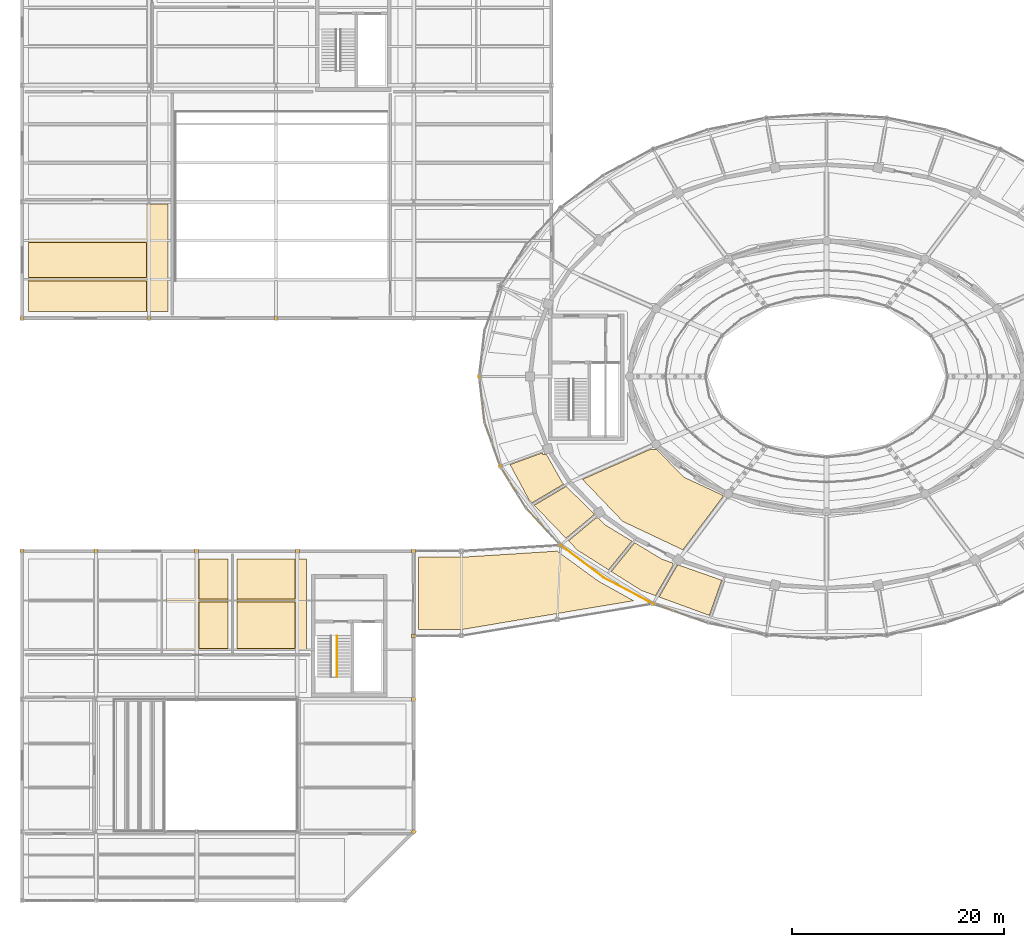
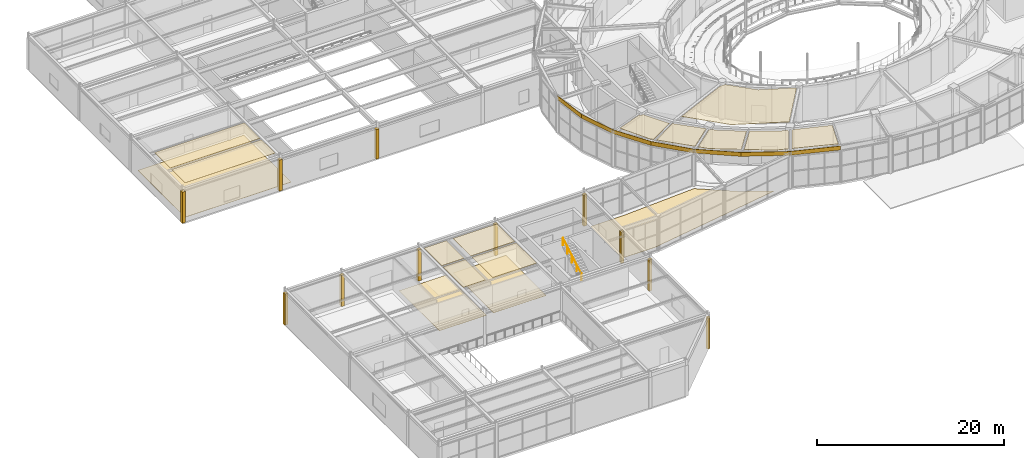
# One storey, part 89 of 100: 34 coverings, 1 railing.
"""IFC4 building model written with IfcOpenShell, lengths in metres."""

from ifc_helpers import new_model, si_unit, direction, frame, frame_2d, origin, origin_2d, place, context, subcontext, project, spatial, polyline, rectangle, circle, outline, extrude, material, layer, layer_set, type_object, element, save


model = new_model("IFC4")

# Units and contexts
model_context = context("Model", 3, precision=1e-05, world=origin(), true_north=direction((0.0, 1.0)))
body_context = subcontext(model_context, "Body", "Model", "MODEL_VIEW")
ifc_project = project(units=[si_unit("LENGTHUNIT", "METRE"), si_unit("AREAUNIT", "SQUARE_METRE"), si_unit("VOLUMEUNIT", "CUBIC_METRE"), si_unit("PLANEANGLEUNIT", "RADIAN"), si_unit("MASSUNIT", "GRAM", prefix="KILO")], contexts=[model_context])

# Site, building, storey
site_placement = place(None, origin())
site = spatial("IfcSite", under=ifc_project, at=site_placement, CompositionType="ELEMENT")
building_placement = place(site_placement, origin())
building = spatial("IfcBuilding", under=site, at=building_placement, Name="Tarnveldt Headland Concert Hall", CompositionType="ELEMENT")
storey_placement = place(building_placement, frame((0.0, 0.0, 4.800048828125)))
storey = spatial("IfcBuildingStorey", under=building, at=storey_placement, Name="L01", CompositionType="ELEMENT", Elevation=4.800048828125)

# Coverings
ifc_material_1 = material(Name="Micro-perforated mvule acoustic ceiling panel", Category="timber")
ifc_layer_1 = layer(ifc_material_1, 0.050048828125, Name="Micro-perforated mvule acoustic ceiling panel", Category="timber")
ifc_layer_set_1 = layer_set([ifc_layer_1], Name="Micro-perforated mvule acoustic ceiling panel")
covering_type_1 = type_object("IfcCoveringType", Name="CV-CEIL50", PredefinedType="CEILING", material=ifc_layer_set_1)
covering_1_placement = place(storey_placement, frame((0.0, 0.0, 4.489990234375)))
element("IfcCovering", 1, at=covering_1_placement, inside=storey, type_object=covering_type_1, Name="Acoustic mvule ceiling L01-09-115", PredefinedType="CEILING", context=body_context, shape_type="SweptSolid", body=[
    extrude(outline(polyline([(70.03369140625, 44.9697265625), (70.048095703125, 44.96240234375), (73.699951171875, 43.27099609375), (73.699951171875, 43.1337890625), (69.919677734375, 38.118408203125), (64.24658203125, 40.7998046875), (60.439697265625, 44.77392578125), (66.891845703125, 47.62744140625), (66.891845703125, 47.60009765625), (67.45263671875, 47.60009765625), (69.9951171875, 44.999755859375), (70.0068359375, 44.988525390625), (70.019775390625, 44.978515625), (70.03369140625, 44.9697265625)])), origin(), (0.0, 0.0, 1.0), 0.050048828125),
])
covering_2_placement = place(storey_placement, frame((0.0, 0.0, 4.489990234375)))
element("IfcCovering", 2, at=covering_2_placement, inside=storey, type_object=covering_type_1, Name="Acoustic mvule ceiling L01-11-126", PredefinedType="CEILING", context=body_context, shape_type="SweptSolid", body=[
    extrude(outline(polyline([(62.63671875, 40.43310546875), (65.109130859375, 38.94287109375), (62.89794921875, 36.2333984375), (59.99169921875, 38.068115234375), (59.12744140625, 38.962890625), (61.697509765625, 41.119140625), (61.935546875, 41.119140625), (62.60302734375, 40.459228515625), (62.619140625, 40.445068359375), (62.63671875, 40.43310546875)])), origin(), (0.0, 0.0, 1.0), 0.050048828125),
])
covering_3_placement = place(storey_placement, frame((0.0, 0.0, 4.489990234375)))
element("IfcCovering", 3, at=covering_3_placement, inside=storey, type_object=covering_type_1, Name="Acoustic mvule ceiling L01-11-127", PredefinedType="CEILING", context=body_context, shape_type="SweptSolid", body=[
    extrude(outline(polyline([(67.955810546875, 37.228271484375), (67.972900390625, 37.22119140625), (68.97509765625, 36.8701171875), (68.97509765625, 36.654541015625), (68.994873046875, 36.654541015625), (67.339111328125, 33.786865234375), (65.988037109375, 34.28271484375), (63.162109375, 36.066650390625), (65.377197265625, 38.78125), (67.939453125, 37.23681640625), (67.955810546875, 37.228271484375)])), origin(), (0.0, 0.0, 1.0), 0.050048828125),
])
covering_4_placement = place(storey_placement, frame((0.0, 0.0, 4.489990234375)))
element("IfcCovering", 4, at=covering_4_placement, inside=storey, type_object=covering_type_1, Name="Acoustic mvule ceiling L01-11-128", PredefinedType="CEILING", context=body_context, shape_type="SweptSolid", body=[
    extrude(outline(polyline([(69.59033203125, 36.654541015625), (73.59765625, 35.25048828125), (72.419921875, 31.922607421875), (67.672607421875, 33.66455078125), (69.39892578125, 36.654541015625), (69.59033203125, 36.654541015625)])), origin(), (0.0, 0.0, 1.0), 0.050048828125),
])
covering_5_placement = place(storey_placement, frame((0.0, 0.0, 4.489990234375)))
element("IfcCovering", 5, at=covering_5_placement, inside=storey, type_object=covering_type_1, Name="Acoustic mvule ceiling L01-11-137", PredefinedType="CEILING", context=body_context, shape_type="SweptSolid", body=[
    extrude(outline(polyline([(61.52587890625, 41.524169921875), (61.52587890625, 41.43212890625), (58.8837890625, 39.21533203125), (55.884521484375, 42.321044921875), (58.90576171875, 44.114501953125), (61.52587890625, 41.524169921875)])), origin(), (0.0, 0.0, 1.0), 0.050048828125),
])
covering_6_placement = place(storey_placement, frame((0.0, 0.0, 4.489990234375)))
element("IfcCovering", 6, at=covering_6_placement, inside=storey, type_object=covering_type_1, Name="Acoustic mvule ceiling L01-11-138", PredefinedType="CEILING", context=body_context, shape_type="SweptSolid", body=[
    extrude(outline(polyline([(55.377685546875, 42.861572265625), (53.60205078125, 46.16796875), (56.66357421875, 47.2822265625), (56.66357421875, 47.134521484375), (57.0341796875, 47.134521484375), (58.50390625, 44.521728515625), (58.5126953125, 44.507568359375), (58.52294921875, 44.494140625), (58.5341796875, 44.48193359375), (58.677978515625, 44.33984375), (55.6630859375, 42.55029296875), (55.434814453125, 42.78662109375), (55.377685546875, 42.861572265625)])), origin(), (0.0, 0.0, 1.0), 0.050048828125),
])
covering_7_placement = place(storey_placement, frame((0.0, 0.0, 4.489990234375)))
element("IfcCovering", 7, at=covering_7_placement, inside=storey, type_object=covering_type_1, Name="Acoustic mvule ceiling L01-20-177", PredefinedType="CEILING", context=body_context, shape_type="SweptSolid", body=[
    extrude(outline(polyline([(26.969970703125, 33.472900390625), (24.22998046875, 33.472900390625), (24.22998046875, 37.27001953125), (26.969970703125, 37.27001953125), (26.969970703125, 33.472900390625)])), origin(), (0.0, 0.0, 1.0), 0.050048828125),
])
covering_8_placement = place(storey_placement, frame((0.0, 0.0, 4.489990234375)))
element("IfcCovering", 8, at=covering_8_placement, inside=storey, type_object=covering_type_1, Name="Acoustic mvule ceiling L01-20-178", PredefinedType="CEILING", context=body_context, shape_type="SweptSolid", body=[
    extrude(outline(polyline([(24.22998046875, 28.806884765625), (24.22998046875, 33.193115234375), (26.969970703125, 33.193115234375), (26.969970703125, 28.806884765625), (24.22998046875, 28.806884765625)])), origin(), (0.0, 0.0, 1.0), 0.050048828125),
])
covering_9_placement = place(storey_placement, frame((0.0, 0.0, 4.489990234375)))
element("IfcCovering", 9, at=covering_9_placement, inside=storey, type_object=covering_type_1, Name="Acoustic mvule ceiling L01-21-181", PredefinedType="CEILING", context=body_context, shape_type="SweptSolid", body=[
    extrude(outline(polyline([(33.27001953125, 28.806884765625), (27.830078125, 28.806884765625), (27.830078125, 33.193115234375), (33.27001953125, 33.193115234375), (33.27001953125, 28.806884765625)])), origin(), (0.0, 0.0, 1.0), 0.050048828125),
])
covering_10_placement = place(storey_placement, frame((0.0, 0.0, 4.489990234375)))
element("IfcCovering", 10, at=covering_10_placement, inside=storey, type_object=covering_type_1, Name="Acoustic mvule ceiling L01-21-182", PredefinedType="CEILING", context=body_context, shape_type="SweptSolid", body=[
    extrude(outline(polyline([(33.27001953125, 33.472900390625), (27.830078125, 33.472900390625), (27.830078125, 37.27001953125), (33.27001953125, 37.27001953125), (33.27001953125, 33.472900390625)])), origin(), (0.0, 0.0, 1.0), 0.050048828125),
])
covering_11_placement = place(storey_placement, frame((0.0, 0.0, 4.489990234375)))
element("IfcCovering", 11, at=covering_11_placement, inside=storey, type_object=covering_type_1, Name="Acoustic mvule ceiling L01-23-183", PredefinedType="CEILING", context=body_context, shape_type="SweptSolid", body=[
    extrude(outline(polyline([(19.27001953125, 60.6298828125), (8.1298828125, 60.6298828125), (8.1298828125, 63.501953125), (19.27001953125, 63.501953125), (19.27001953125, 60.6298828125)])), origin(), (0.0, 0.0, 1.0), 0.050048828125),
])
covering_12_placement = place(storey_placement, frame((0.0, 0.0, 4.489990234375)))
element("IfcCovering", 12, at=covering_12_placement, inside=storey, type_object=covering_type_1, Name="Acoustic mvule ceiling L01-23-184", PredefinedType="CEILING", context=body_context, shape_type="SweptSolid", body=[
    extrude(outline(polyline([(19.27001953125, 63.83203125), (8.1298828125, 63.83203125), (8.1298828125, 67.16796875), (19.27001953125, 67.16796875), (19.27001953125, 63.83203125)])), origin(), (0.0, 0.0, 1.0), 0.050048828125),
])
ifc_material_2 = material(Name="Treated East African mvule hardwood", Category="wood")
ifc_layer_2 = layer(ifc_material_2, 0.044921875, Name="Treated East African mvule hardwood", Category="wood")
ifc_layer_set_2 = layer_set([ifc_layer_2], Name="Treated East African mvule hardwood")
covering_type_2 = type_object("IfcCoveringType", Name="CV-CLAD45", PredefinedType="CLADDING", material=ifc_layer_set_2)
covering_13_placement = place(storey_placement, frame((50.699951171875, 54.5, 4.239990234375), z_axis=(0.0, 0.0, 1.0), x_axis=(0.11494260035, -0.993372135015, 0.0)))
element("IfcCovering", 13, at=covering_13_placement, inside=storey, type_object=covering_type_2, Name="Mvule hardwood fascia band L01-19", PredefinedType="CLADDING", context=body_context, shape_type="SweptSolid", body=[
    extrude(rectangle(XDim=4.335205078125, YDim=0.044921875, at=frame_2d((2.16748046875, 0.0))), origin(), (0.0, 0.0, 1.0), 0.52001953125),
])
covering_14_placement = place(storey_placement, frame((51.1982421875, 50.193603515625, 4.239990234375), z_axis=(0.0, 0.0, 1.0), x_axis=(0.334010357608, -0.942569403816, 0.0)))
element("IfcCovering", 14, at=covering_14_placement, inside=storey, type_object=covering_type_2, Name="Mvule hardwood fascia band L01-20", PredefinedType="CLADDING", context=body_context, shape_type="SweptSolid", body=[
    extrude(rectangle(XDim=4.43017578125, YDim=0.044921875, at=frame_2d((2.215087890625, 0.0))), origin(), (0.0, 0.0, 1.0), 0.52001953125),
])
covering_15_placement = place(storey_placement, frame((52.677978515625, 46.017822265625, 4.239990234375), z_axis=(0.0, 0.0, 1.0), x_axis=(0.524979001727, -0.851115178895, 0.0)))
element("IfcCovering", 15, at=covering_15_placement, inside=storey, type_object=covering_type_2, Name="Mvule hardwood fascia band L01-21", PredefinedType="CLADDING", context=body_context, shape_type="SweptSolid", body=[
    extrude(rectangle(XDim=4.60302734375, YDim=0.044921875, at=frame_2d((2.301513671875, 0.0))), origin(), (0.0, 0.0, 1.0), 0.52001953125),
])
covering_16_placement = place(storey_placement, frame((55.094482421875, 42.10009765625, 4.239990234375), z_axis=(0.0, 0.0, 1.0), x_axis=(0.67944736966, -0.733724247835, 0.0)))
element("IfcCovering", 16, at=covering_16_placement, inside=storey, type_object=covering_type_2, Name="Mvule hardwood fascia band L01-22", PredefinedType="CLADDING", context=body_context, shape_type="SweptSolid", body=[
    extrude(rectangle(XDim=4.826416015625, YDim=0.044921875, at=frame_2d((2.4130859375, 0.0))), origin(), (0.0, 0.0, 1.0), 0.52001953125),
])
covering_17_placement = place(storey_placement, frame((58.373779296875, 38.558837890625, 4.239990234375), z_axis=(0.0, 0.0, 1.0), x_axis=(0.797664418204, -0.603101546948, 0.0)))
element("IfcCovering", 17, at=covering_17_placement, inside=storey, type_object=covering_type_2, Name="Mvule hardwood fascia band L01-23", PredefinedType="CLADDING", context=body_context, shape_type="SweptSolid", body=[
    extrude(rectangle(XDim=5.068115234375, YDim=0.044921875, at=frame_2d((2.5341796875, 0.0))), origin(), (0.0, 0.0, 1.0), 0.52001953125),
])
covering_18_placement = place(storey_placement, frame((62.41650390625, 35.502197265625, 4.239990234375), z_axis=(0.0, 0.0, 1.0), x_axis=(0.88379239872, -0.467879253617, 0.0)))
element("IfcCovering", 18, at=covering_18_placement, inside=storey, type_object=covering_type_2, Name="Mvule hardwood fascia band L01-24", PredefinedType="CLADDING", context=body_context, shape_type="SweptSolid", body=[
    extrude(rectangle(XDim=5.29931640625, YDim=0.044921875, at=frame_2d((2.649658203125, 0.0))), origin(), (0.0, 0.0, 1.0), 0.52001953125),
])
covering_19_placement = place(storey_placement, frame((67.10009765625, 33.022705078125, 4.239990234375), z_axis=(0.0, 0.0, 1.0), x_axis=(0.943085453999, -0.332550487077, 0.0)))
element("IfcCovering", 19, at=covering_19_placement, inside=storey, type_object=covering_type_2, Name="Mvule hardwood fascia band L01-25", PredefinedType="CLADDING", context=body_context, shape_type="SweptSolid", body=[
    extrude(rectangle(XDim=5.494384765625, YDim=0.044921875, at=frame_2d((2.7470703125, 0.0))), origin(), (0.0, 0.0, 1.0), 0.52001953125),
])
ifc_material_3 = material(Name="Polished coral-aggregate cementitious terrazzo flooring", Category="concrete")
ifc_layer_3 = layer(ifc_material_3, 0.034912109375, Name="Polished coral-aggregate cementitious terrazzo flooring", Category="concrete")
ifc_layer_set_3 = layer_set([ifc_layer_3], Name="Polished coral-aggregate cementitious terrazzo flooring")
covering_type_3 = type_object("IfcCoveringType", Name="CV-FLOR35", PredefinedType="FLOORING", material=ifc_layer_set_3)
covering_20_placement = place(storey_placement, origin())
element("IfcCovering", 20, at=covering_20_placement, inside=storey, type_object=covering_type_3, Name="Architectural flooring L01-20-47", PredefinedType="FLOORING", context=body_context, shape_type="SweptSolid", body=[
    extrude(outline(polyline([(21.1298828125, 37.27001953125), (26.969970703125, 37.27001953125), (26.969970703125, 28.6298828125), (21.1298828125, 28.6298828125), (21.1298828125, 37.27001953125)])), origin(), (0.0, 0.0, 1.0), 0.034912109375),
])
covering_21_placement = place(storey_placement, origin())
element("IfcCovering", 21, at=covering_21_placement, inside=storey, type_object=covering_type_3, Name="Architectural flooring L01-21-48", PredefinedType="FLOORING", context=body_context, shape_type="SweptSolid", body=[
    extrude(outline(polyline([(27.830078125, 37.27001953125), (34.3701171875, 37.27001953125), (34.3701171875, 28.6298828125), (27.830078125, 28.6298828125), (27.830078125, 37.27001953125)])), origin(), (0.0, 0.0, 1.0), 0.034912109375),
])
covering_22_placement = place(storey_placement, origin())
element("IfcCovering", 22, at=covering_22_placement, inside=storey, type_object=covering_type_3, Name="Architectural flooring L01-22-49", PredefinedType="FLOORING", context=body_context, shape_type="SweptSolid", body=[
    extrude(outline(polyline([(44.929931640625, 37.419921875), (49.0, 37.419921875), (49.011474609375, 37.42041015625), (58.04638671875, 37.99609375), (61.944091796875, 35.154541015625), (61.962646484375, 35.142578125), (65.262451171875, 33.312255859375), (48.985107421875, 30.580078125), (44.929931640625, 30.580078125), (44.929931640625, 37.419921875)])), origin(), (0.0, 0.0, 1.0), 0.034912109375),
])
covering_23_placement = place(storey_placement, origin())
element("IfcCovering", 23, at=covering_23_placement, inside=storey, type_object=covering_type_3, Name="Architectural flooring L01-23-50", PredefinedType="FLOORING", context=body_context, shape_type="SweptSolid", body=[
    extrude(outline(polyline([(19.25, 70.77001953125), (19.25, 70.719970703125), (19.75, 70.719970703125), (19.75, 70.77001953125), (21.27001953125, 70.77001953125), (21.27001953125, 60.6298828125), (8.1298828125, 60.6298828125), (8.1298828125, 70.77001953125), (19.25, 70.77001953125)])), origin(), (0.0, 0.0, 1.0), 0.034912109375),
])
ifc_material_4 = material(Name="Coral-toned precast concrete C40/50", Category="concrete")
ifc_layer_4 = layer(ifc_material_4, 0.360107421875, Name="Coral-toned precast concrete C40/50", Category="concrete")
ifc_layer_set_4 = layer_set([ifc_layer_4], Name="Coral-toned precast concrete C40/50")
covering_type_4 = type_object("IfcCoveringType", Name="CV-JNT360", PredefinedType="CLADDING", material=ifc_layer_set_4)
for number, where, z_axis, x_axis, name in (
    (24, (7.5, 38.0, 0.0), (0.0, 0.0, 1.0), (1.0, 0.0, 0.0), "Precast facade joint closure pilaster L01-194"),
    (25, (7.5, 60.0, 0.0), (0.0, 0.0, 1.0), (-1.0, 0.0, 0.0), "Precast facade joint closure pilaster L01-195"),
    (26, (14.5, 38.0, 0.0), (0.0, 0.0, 1.0), (1.0, 0.0, 0.0), "Precast facade joint closure pilaster L01-199"),
    (27, (19.5, 60.0, 0.0), (0.0, 0.0, 1.0), (-1.0, 0.0, 0.0), "Precast facade joint closure pilaster L01-200"),
    (28, (24.0, 38.0, 0.0), (0.0, 0.0, 1.0), (1.0, 0.0, 0.0), "Precast facade joint closure pilaster L01-205"),
):
    element("IfcCovering", number, at=place(storey_placement, frame(where, z_axis=z_axis, x_axis=x_axis)), inside=storey, type_object=covering_type_4, Name=name, PredefinedType="CLADDING", context=body_context, shape_type="SweptSolid", body=[
        extrude(rectangle(XDim=0.3798828125, YDim=0.3798828125, at=origin_2d()), origin(), (0.0, 0.0, 1.0), 4.077880859375),
    ])
covering_24_placement = place(storey_placement, frame((31.5, 60.0, 0.0), z_axis=(0.0, 0.0, 1.0), x_axis=(-1.0, 0.0, 0.0)))
element("IfcCovering", 29, at=covering_24_placement, inside=storey, type_object=covering_type_4, Name="Precast facade joint closure pilaster L01-206", PredefinedType="CLADDING", context=body_context, shape_type="SweptSolid", body=[
    extrude(rectangle(XDim=0.3798828125, YDim=0.3798828125, at=origin_2d()), origin(), (0.0, 0.0, 1.0), 3.8779296875),
])
covering_25_placement = place(storey_placement, frame((33.5, 38.0, 0.0), z_axis=(0.0, 0.0, 1.0), x_axis=(1.0, 0.0, 0.0)))
element("IfcCovering", 30, at=covering_25_placement, inside=storey, type_object=covering_type_4, Name="Precast facade joint closure pilaster L01-209", PredefinedType="CLADDING", context=body_context, shape_type="SweptSolid", body=[
    extrude(rectangle(XDim=0.3798828125, YDim=0.3798828125, at=origin_2d()), origin(), (0.0, 0.0, 1.0), 4.077880859375),
])
covering_26_placement = place(storey_placement, frame((44.5, 11.5, 0.0), z_axis=(0.0, 0.0, 1.0), x_axis=(-0.707106781187, -0.707106781187, 0.0)))
element("IfcCovering", 31, at=covering_26_placement, inside=storey, type_object=covering_type_4, Name="Precast facade joint closure pilaster L01-211", PredefinedType="CLADDING", context=body_context, shape_type="SweptSolid", body=[
    extrude(rectangle(XDim=0.3798828125, YDim=0.3798828125, at=origin_2d()), origin(), (0.0, 0.0, 1.0), 4.028076171875),
])
for number, where, z_axis, x_axis, name in (
    (32, (44.5, 24.0, 0.0), (0.0, 0.0, 1.0), (0.0, -1.0, 0.0), "Precast facade joint closure pilaster L01-212"),
    (33, (44.5, 30.0, 0.0), (0.0, 0.0, 1.0), (0.0, -1.0, 0.0), "Precast facade joint closure pilaster L01-213"),
    (34, (44.5, 38.0, 0.0), (0.0, 0.0, 1.0), (1.0, 0.0, 0.0), "Precast facade joint closure pilaster L01-214"),
):
    element("IfcCovering", number, at=place(storey_placement, frame(where, z_axis=z_axis, x_axis=x_axis)), inside=storey, type_object=covering_type_4, Name=name, PredefinedType="CLADDING", context=body_context, shape_type="SweptSolid", body=[
        extrude(rectangle(XDim=0.3798828125, YDim=0.3798828125, at=origin_2d()), origin(), (0.0, 0.0, 1.0), 4.077880859375),
    ])

# Railing
ifc_material_5 = material(Name="Marine stainless steel", Category="steel")
ifc_layer_5 = layer(ifc_material_5, 0.048095703125, Name="Marine stainless steel", Category="steel")
ifc_layer_set_5 = layer_set([ifc_layer_5], Name="Marine stainless steel")
railing_type = type_object("IfcRailingType", Name="RL-HND092", PredefinedType="HANDRAIL", material=ifc_layer_set_5)
railing_placement = place(storey_placement, frame((37.22998046875, 26.080078125, 2.56005859375)))
element("IfcRailing", 35, at=railing_placement, inside=storey, type_object=railing_type, Name="HANDRAIL STR-C5-L01 flight 2", PredefinedType="HANDRAIL", context=body_context, shape_type="SweptSolid", body=[
    extrude(circle(Radius=0.02392578125, at=origin_2d()), frame((0.0, 0.0, 0.89599609375), z_axis=(0.0, 0.868239814368, 0.496144761885), x_axis=(-1.0, 0.0, 0.0)), (0.0, 0.0, 1.0), 4.514892578125),
    extrude(circle(Radius=0.02099609375, at=origin_2d()), origin(), (0.0, 0.0, 1.0), 0.871826171875),
    extrude(circle(Radius=0.02099609375, at=origin_2d()), frame((0.0, 0.97998046875, 0.56005859375)), (0.0, 0.0, 1.0), 0.871826171875),
    extrude(circle(Radius=0.02099609375, at=origin_2d()), frame((0.0, 1.9599609375, 1.1201171875)), (0.0, 0.0, 1.0), 0.871826171875),
    extrude(circle(Radius=0.02099609375, at=origin_2d()), frame((0.0, 2.93994140625, 1.679931640625)), (0.0, 0.0, 1.0), 0.871826171875),
    extrude(circle(Radius=0.02099609375, at=origin_2d()), frame((0.0, 3.919921875, 2.239990234375)), (0.0, 0.0, 1.0), 0.871826171875),
])

save(model, "model.ifc")
